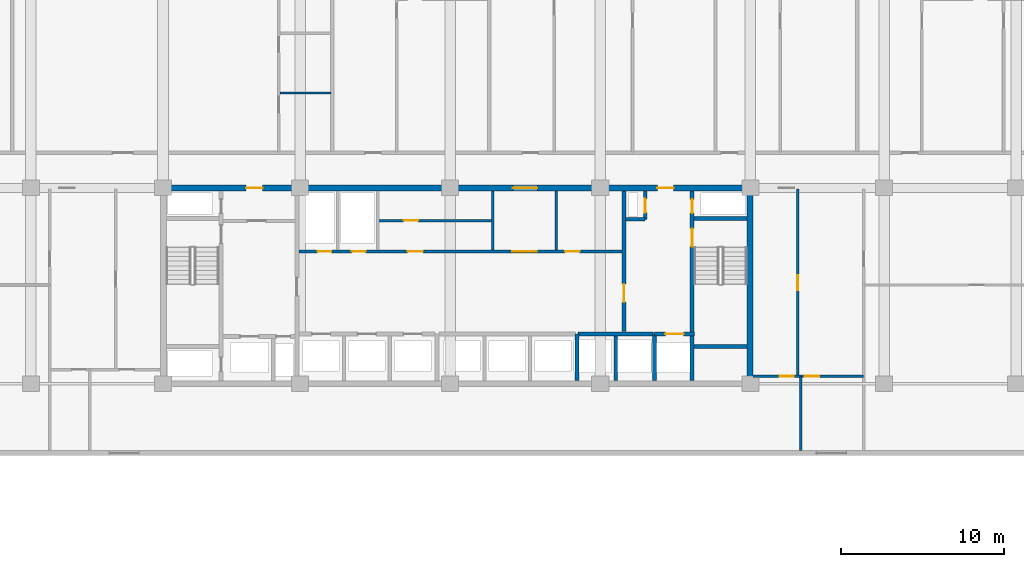
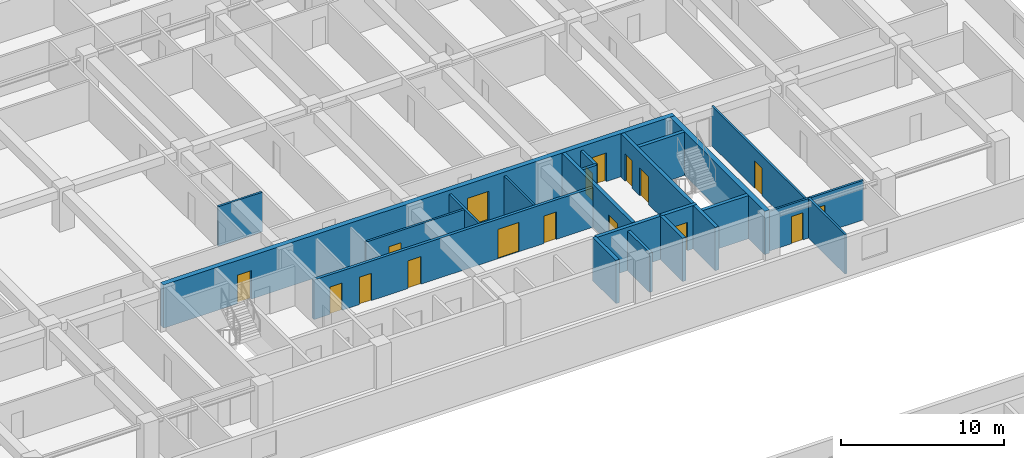
# One storey, part 13 of 24: 21 walls, 17 doors, 17 openings.
"""IFC4 building model written with IfcOpenShell, lengths in metres."""

from ifc_helpers import new_model, si_unit, direction, frame, frame_2d, origin, place, context, subcontext, project, spatial, rectangle, extrude, material, layer, layer_set, type_object, element, fill, save


model = new_model("IFC4")

# Units and contexts
model_context = context("Model", 3, precision=1e-05, world=origin(), true_north=direction((0.0, 1.0)))
body_context = subcontext(model_context, "Body", "Model", "MODEL_VIEW")
ifc_project = project(units=[si_unit("LENGTHUNIT", "METRE"), si_unit("AREAUNIT", "SQUARE_METRE"), si_unit("VOLUMEUNIT", "CUBIC_METRE"), si_unit("PLANEANGLEUNIT", "RADIAN"), si_unit("MASSUNIT", "GRAM", prefix="KILO")], contexts=[model_context])

# Site, building, storey
site_placement = place(None, origin())
site = spatial("IfcSite", under=ifc_project, at=site_placement, CompositionType="ELEMENT")
building_placement = place(site_placement, origin())
building = spatial("IfcBuilding", under=site, at=building_placement, Name="Korimba Cascade Residences", CompositionType="ELEMENT")
storey_placement = place(building_placement, frame((0.0, 0.0, 63.0)))
storey = spatial("IfcBuildingStorey", under=building, at=storey_placement, Name="L17", CompositionType="ELEMENT", Elevation=63.0)

# Wall
ifc_material_1 = material(Name="Concrete C65/80", Category="concrete")
ifc_layer_1 = layer(ifc_material_1, 0.35009765625)
ifc_layer_set_1 = layer_set([ifc_layer_1], Name="Concrete C65/80")
wall_type_1 = type_object("IfcWallType", Name="WAL-CORE-350", PredefinedType="SHEAR", material=ifc_layer_set_1)
wall_1_placement = place(storey_placement, frame((112.074951171875, 55.375, 0.0), z_axis=(0.0, 0.0, 1.0), x_axis=(0.0, 1.0, 0.0)))
element("IfcWall", 1, at=wall_1_placement, inside=storey, type_object=wall_type_1, Name="L17 Core Shear Wall CW-L17-T1-E", PredefinedType="SHEAR", context=body_context, shape_type="SweptSolid", body=[
    extrude(rectangle(XDim=11.64990234375, YDim=0.35009765625, at=frame_2d((5.824951171875, 0.0))), origin(), (0.0, 0.0, 1.0), 3.25),
])

# Wall, openings, doors
wall_2_placement = place(storey_placement, frame((75.949951171875, 67.199951171875, 0.0), z_axis=(0.0, 0.0, 1.0), x_axis=(1.0, 0.0, 0.0)))
wall_2 = element("IfcWall", 2, at=wall_2_placement, inside=storey, type_object=wall_type_1, Name="L17 Core Shear Wall CW-L17-T1-N", PredefinedType="SHEAR", context=body_context, shape_type="SweptSolid", body=[
    extrude(rectangle(XDim=36.300048828125, YDim=0.35009765625, at=frame_2d((18.14990234375, 0.0))), origin(), (0.0, 0.0, 1.0), 3.25),
])
opening_1_placement = place(wall_2_placement, frame((5.25, 0.0, 0.0)))
opening_1 = element("IfcOpeningElement", 3, at=opening_1_placement, cuts=wall_2, Name="Opening D-FD5", PredefinedType="OPENING", context=body_context, shape_type="SweptSolid", body=[
    extrude(rectangle(XDim=1.0, YDim=2.14990234375, at=frame_2d((0.5, 1.074951171875))), frame((0.0, 0.18505859375, 0.0), z_axis=(0.0, -1.0, 0.0), x_axis=(1.0, 0.0, 0.0)), (0.0, 0.0, 1.0), 0.3701171875),
])
opening_2_placement = place(wall_2_placement, frame((21.60009765625, 0.0, 0.0)))
opening_2 = element("IfcOpeningElement", 4, at=opening_2_placement, cuts=wall_2, Name="Opening D-FD8", PredefinedType="OPENING", context=body_context, shape_type="SweptSolid", body=[
    extrude(rectangle(XDim=1.5, YDim=2.199951171875, at=frame_2d((0.75, 1.10009765625))), frame((0.0, 0.18505859375, 0.0), z_axis=(0.0, -1.0, 0.0), x_axis=(1.0, 0.0, 0.0)), (0.0, 0.0, 1.0), 0.3701171875),
])
opening_3_placement = place(wall_2_placement, frame((30.449951171875, 0.0, 0.0)))
opening_3 = element("IfcOpeningElement", 5, at=opening_3_placement, cuts=wall_2, Name="Opening D-FD5", PredefinedType="OPENING", context=body_context, shape_type="SweptSolid", body=[
    extrude(rectangle(XDim=1.0, YDim=2.14990234375, at=frame_2d((0.5, 1.074951171875))), frame((0.0, 0.18505859375, 0.0), z_axis=(0.0, -1.0, 0.0), x_axis=(1.0, 0.0, 0.0)), (0.0, 0.0, 1.0), 0.3701171875),
])
ifc_material_2 = material(Name="Fire-Rated Acoustic Timber Vestibule Door", Category="wood")
door_type_1 = type_object("IfcDoorType", Name="DR-FD90-1000", OperationType="NOTDEFINED", PredefinedType="DOOR", material=ifc_material_2)
door_1_placement = place(opening_1_placement, origin())
door_1 = element("IfcDoor", 6, at=door_1_placement, inside=storey, type_object=door_type_1, Name="L17 T1 West Core Vestibule Fire Door", OperationType="SINGLE_SWING_RIGHT", OverallHeight=2.14990234375, OverallWidth=1.0, PredefinedType="DOOR", context=body_context, shape_type="SweptSolid", body=[
    extrude(rectangle(XDim=1.0, YDim=2.14990234375, at=frame_2d((0.5, 1.074951171875))), frame((0.0, 0.02490234375, 0.0), z_axis=(0.0, -1.0, 0.0), x_axis=(1.0, 0.0, 0.0)), (0.0, 0.0, 1.0), 0.050048828125),
])
fill(opening_1, door_1)
door_2_placement = place(opening_3_placement, origin())
door_2 = element("IfcDoor", 7, at=door_2_placement, inside=storey, type_object=door_type_1, Name="L17 T1 East Firefighting Vestibule Fire Door", OperationType="SINGLE_SWING_LEFT", OverallHeight=2.14990234375, OverallWidth=1.0, PredefinedType="DOOR", context=body_context, shape_type="SweptSolid", body=[
    extrude(rectangle(XDim=1.0, YDim=2.14990234375, at=frame_2d((0.5, 1.074951171875))), frame((0.0, 0.02490234375, 0.0), z_axis=(0.0, -1.0, 0.0), x_axis=(1.0, 0.0, 0.0)), (0.0, 0.0, 1.0), 0.050048828125),
])
fill(opening_3, door_2)
ifc_material_3 = material(Name="Fire-Rated Glazed Lift Lobby Double Door", Category="glass")
door_type_2 = type_object("IfcDoorType", Name="DR-FD90-1500", OperationType="NOTDEFINED", PredefinedType="DOOR", material=ifc_material_3)
door_3_placement = place(opening_2_placement, origin())
door_3 = element("IfcDoor", 8, at=door_3_placement, inside=storey, type_object=door_type_2, Name="L17 T1 Lift Lobby Fire Door", OperationType="DOUBLE_DOOR_SINGLE_SWING", OverallHeight=2.199951171875, OverallWidth=1.5, PredefinedType="DOOR", context=body_context, shape_type="SweptSolid", body=[
    extrude(rectangle(XDim=1.5, YDim=2.199951171875, at=frame_2d((0.75, 1.10009765625))), frame((0.0, 0.02490234375, 0.0), z_axis=(0.0, -1.0, 0.0), x_axis=(1.0, 0.0, 0.0)), (0.0, 0.0, 1.0), 0.050048828125),
])
fill(opening_2, door_3)

# Wall, opening, door
ifc_material_4 = material(Name="Insulated Acoustic Stud Partition", Category="gypsum")
ifc_layer_2 = layer(ifc_material_4, 0.14990234375)
ifc_layer_set_2 = layer_set([ifc_layer_2], Name="Insulated Acoustic Stud Partition")
wall_type_2 = type_object("IfcWallType", Name="WAL-PART-150", PredefinedType="PARTITIONING", material=ifc_layer_set_2)
wall_3_placement = place(storey_placement, frame((89.25, 65.199951171875, 0.0), z_axis=(0.0, 0.0, 1.0), x_axis=(1.0, 0.0, 0.0)))
wall_3 = element("IfcWall", 9, at=wall_3_placement, inside=storey, type_object=wall_type_2, Name="L17 Partition Wall CW-L17-T1-CA2HZ", PredefinedType="PARTITIONING", context=body_context, shape_type="SweptSolid", body=[
    extrude(rectangle(XDim=7.050048828125, YDim=0.14990234375, at=frame_2d((3.52490234375, 0.0))), origin(), (0.0, 0.0, 1.0), 2.969970703125),
])
opening_4_placement = place(wall_3_placement, frame((1.60009765625, 0.0, 0.0)))
opening_4 = element("IfcOpeningElement", 10, at=opening_4_placement, cuts=wall_3, Name="Opening D-IN2", PredefinedType="OPENING", context=body_context, shape_type="SweptSolid", body=[
    extrude(rectangle(XDim=0.8798828125, YDim=2.06005859375, at=frame_2d((0.43994140625, 1.030029296875))), frame((0.0, 0.0849609375, 0.0), z_axis=(0.0, -1.0, 0.0), x_axis=(1.0, 0.0, 0.0)), (0.0, 0.0, 1.0), 0.169921875),
])
ifc_material_5 = material(Name="Acoustic Timber Bedroom Door", Category="wood")
door_type_3 = type_object("IfcDoorType", Name="DR-INT-880", OperationType="NOTDEFINED", PredefinedType="DOOR", material=ifc_material_5)
door_4_placement = place(opening_4_placement, origin())
door_4 = element("IfcDoor", 11, at=door_4_placement, inside=storey, type_object=door_type_3, Name="L17 Pram Store Door", OperationType="SINGLE_SWING_RIGHT", OverallHeight=2.06005859375, OverallWidth=0.8798828125, PredefinedType="DOOR", context=body_context, shape_type="SweptSolid", body=[
    extrude(rectangle(XDim=0.8798828125, YDim=2.06005859375, at=frame_2d((0.43994140625, 1.030029296875))), frame((0.0, 0.02490234375, 0.0), z_axis=(0.0, -1.0, 0.0), x_axis=(1.0, 0.0, 0.0)), (0.0, 0.0, 1.0), 0.050048828125),
])
fill(opening_4, door_4)

# Walls
for number, where, z_axis, x_axis, name in (
    (12, (96.300048828125, 63.39990234375, 0.0), (0.0, 0.0, 1.0), (0.0, 1.0, 0.0), "L17 Partition Wall CW-L17-T1-THW"),
    (13, (100.199951171875, 63.39990234375, 0.0), (0.0, 0.0, 1.0), (0.0, 1.0, 0.0), "L17 Partition Wall CW-L17-T1-THE"),
):
    element("IfcWall", number, at=place(storey_placement, frame(where, z_axis=z_axis, x_axis=x_axis)), inside=storey, type_object=wall_type_2, Name=name, PredefinedType="PARTITIONING", context=body_context, shape_type="SweptSolid", body=[
        extrude(rectangle(XDim=3.60009765625, YDim=0.14990234375, at=frame_2d((1.800048828125, 0.0))), origin(), (0.0, 0.0, 1.0), 2.969970703125),
    ])

# Wall, opening, door
wall_4_placement = place(storey_placement, frame((115.0, 55.64990234375, 0.0), z_axis=(0.0, 0.0, 1.0), x_axis=(0.0, 1.0, 0.0)))
wall_4 = element("IfcWall", 14, at=wall_4_placement, inside=storey, type_object=wall_type_2, Name="L17 Partition Wall WAL-L17-T1-FE-VN", PredefinedType="PARTITIONING", context=body_context, shape_type="SweptSolid", body=[
    extrude(rectangle(XDim=11.5, YDim=0.14990234375, at=frame_2d((5.75, 0.0))), origin(), (0.0, 0.0, 1.0), 2.969970703125),
])
opening_5_placement = place(wall_4_placement, frame((5.2900390625, 0.0, 0.0)))
opening_5 = element("IfcOpeningElement", 15, at=opening_5_placement, cuts=wall_4, Name="Opening D-IN1", PredefinedType="OPENING", context=body_context, shape_type="SweptSolid", body=[
    extrude(rectangle(XDim=0.919921875, YDim=2.080078125, at=frame_2d((0.4599609375, 1.0400390625))), frame((0.0, 0.0849609375, 0.0), z_axis=(0.0, -1.0, 0.0), x_axis=(1.0, 0.0, 0.0)), (0.0, 0.0, 1.0), 0.169921875),
])
ifc_material_6 = material(Name="Acoustic Timber Living Door", Category="wood")
door_type_4 = type_object("IfcDoorType", Name="DR-INT-920", OperationType="NOTDEFINED", PredefinedType="DOOR", material=ifc_material_6)
door_5_placement = place(opening_5_placement, origin())
door_5 = element("IfcDoor", 16, at=door_5_placement, inside=storey, type_object=door_type_4, Name="L17-T1-FE Living Door", OperationType="SINGLE_SWING_LEFT", OverallHeight=2.080078125, OverallWidth=0.919921875, PredefinedType="DOOR", context=body_context, shape_type="SweptSolid", body=[
    extrude(rectangle(XDim=0.919921875, YDim=2.080078125, at=frame_2d((0.4599609375, 1.0400390625))), frame((0.0, 0.02490234375, 0.0), z_axis=(0.0, -1.0, 0.0), x_axis=(1.0, 0.0, 0.0)), (0.0, 0.0, 1.0), 0.050048828125),
])
fill(opening_5, door_5)

# Wall
wall_5_placement = place(storey_placement, frame((115.199951171875, 51.10009765625, 0.0), z_axis=(0.0, 0.0, 1.0), x_axis=(0.0, 1.0, 0.0)))
element("IfcWall", 17, at=wall_5_placement, inside=storey, type_object=wall_type_2, Name="L17 Partition Wall WAL-L17-T1-FE-VS", PredefinedType="PARTITIONING", context=body_context, shape_type="SweptSolid", body=[
    extrude(rectangle(XDim=4.5498046875, YDim=0.14990234375, at=frame_2d((2.27490234375, 0.0))), origin(), (0.0, 0.0, 1.0), 2.969970703125),
])

# Wall, openings, doors
wall_6_placement = place(storey_placement, frame((112.27001953125, 55.64990234375, 0.0), z_axis=(0.0, 0.0, 1.0), x_axis=(1.0, 0.0, 0.0)))
wall_6 = element("IfcWall", 18, at=wall_6_placement, inside=storey, type_object=wall_type_2, Name="L17 Partition Wall WAL-L17-T1-FE-H", PredefinedType="PARTITIONING", context=body_context, shape_type="SweptSolid", body=[
    extrude(rectangle(XDim=6.760009765625, YDim=0.14990234375, at=frame_2d((3.3798828125, 0.0))), origin(), (0.0, 0.0, 1.0), 2.969970703125),
])
opening_6_placement = place(wall_6_placement, frame((1.6396484375, 0.0, 0.0)))
opening_6 = element("IfcOpeningElement", 19, at=opening_6_placement, cuts=wall_6, Name="Opening D-BT1", PredefinedType="OPENING", context=body_context, shape_type="SweptSolid", body=[
    extrude(rectangle(XDim=0.840087890625, YDim=2.0400390625, at=frame_2d((0.419921875, 1.02001953125))), frame((0.0, 0.0849609375, 0.0), z_axis=(0.0, -1.0, 0.0), x_axis=(1.0, 0.0, 0.0)), (0.0, 0.0, 1.0), 0.169921875),
])
opening_7_placement = place(wall_6_placement, frame((3.160400390625, 0.0, 0.0)))
opening_7 = element("IfcOpeningElement", 20, at=opening_7_placement, cuts=wall_6, Name="Opening D-IN2", PredefinedType="OPENING", context=body_context, shape_type="SweptSolid", body=[
    extrude(rectangle(XDim=0.8798828125, YDim=2.06005859375, at=frame_2d((0.43994140625, 1.030029296875))), frame((0.0, 0.0849609375, 0.0), z_axis=(0.0, -1.0, 0.0), x_axis=(1.0, 0.0, 0.0)), (0.0, 0.0, 1.0), 0.169921875),
])
ifc_material_7 = material(Name="Moisture-Resistant Bathroom Timber Door", Category="wood")
door_type_5 = type_object("IfcDoorType", Name="DR-INT-850", OperationType="NOTDEFINED", PredefinedType="DOOR", material=ifc_material_7)
door_6_placement = place(opening_6_placement, origin())
door_6 = element("IfcDoor", 21, at=door_6_placement, inside=storey, type_object=door_type_5, Name="L17-T1-FE Bathroom Door", OperationType="SINGLE_SWING_RIGHT", OverallHeight=2.0400390625, OverallWidth=0.840087890625, PredefinedType="DOOR", context=body_context, shape_type="SweptSolid", body=[
    extrude(rectangle(XDim=0.840087890625, YDim=2.0400390625, at=frame_2d((0.419921875, 1.02001953125))), frame((0.0, 0.02490234375, 0.0), z_axis=(0.0, -1.0, 0.0), x_axis=(1.0, 0.0, 0.0)), (0.0, 0.0, 1.0), 0.050048828125),
])
fill(opening_6, door_6)
door_7_placement = place(opening_7_placement, origin())
door_7 = element("IfcDoor", 22, at=door_7_placement, inside=storey, type_object=door_type_3, Name="L17-T1-FE Bedroom Door", OperationType="SINGLE_SWING_LEFT", OverallHeight=2.06005859375, OverallWidth=0.8798828125, PredefinedType="DOOR", context=body_context, shape_type="SweptSolid", body=[
    extrude(rectangle(XDim=0.8798828125, YDim=2.06005859375, at=frame_2d((0.43994140625, 1.030029296875))), frame((0.0, 0.02490234375, 0.0), z_axis=(0.0, -1.0, 0.0), x_axis=(1.0, 0.0, 0.0)), (0.0, 0.0, 1.0), 0.050048828125),
])
fill(opening_7, door_7)

# Walls
wall_7_placement = place(storey_placement, frame((83.2548828125, 73.02001953125, 0.0), z_axis=(0.0, 0.0, 1.0), x_axis=(1.0, 0.0, 0.0)))
element("IfcWall", 23, at=wall_7_placement, inside=storey, type_object=wall_type_2, Name="L17 Partition Wall WAL-L17-T1-U02-WCH", PredefinedType="PARTITIONING", context=body_context, shape_type="SweptSolid", body=[
    extrude(rectangle(XDim=3.1298828125, YDim=0.14990234375, at=frame_2d((1.56494140625, 0.0))), origin(), (0.0, 0.0, 1.0), 2.969970703125),
])
ifc_material_8 = material(Name="Concrete C40/50", Category="concrete")
ifc_layer_3 = layer(ifc_material_8, 0.199951171875)
ifc_layer_set_3 = layer_set([ifc_layer_3], Name="Concrete C40/50")
wall_type_3 = type_object("IfcWallType", Name="WAL-PART-200", PredefinedType="PARTITIONING", material=ifc_layer_set_3)
wall_8_placement = place(storey_placement, frame((103.85009765625, 55.39990234375, 0.0), z_axis=(0.0, 0.0, 1.0), x_axis=(0.0, 1.0, 0.0)))
element("IfcWall", 24, at=wall_8_placement, inside=storey, type_object=wall_type_3, Name="L17 Partition Wall CW-L17-T1-B3D1", PredefinedType="PARTITIONING", context=body_context, shape_type="SweptSolid", body=[
    extrude(rectangle(XDim=2.72021484375, YDim=0.199951171875, at=frame_2d((1.360107421875, 0.0))), origin(), (0.0, 0.0, 1.0), 2.969970703125),
])

# Wall, openings, doors
wall_9_placement = place(storey_placement, frame((84.419921875, 63.300048828125, 0.0), z_axis=(0.0, 0.0, 1.0), x_axis=(1.0, 0.0, 0.0)))
wall_9 = element("IfcWall", 25, at=wall_9_placement, inside=storey, type_object=wall_type_3, Name="L17 Partition Wall CW-L17-T1-SRVROW", PredefinedType="PARTITIONING", context=body_context, shape_type="SweptSolid", body=[
    extrude(rectangle(XDim=19.830078125, YDim=0.199951171875, at=frame_2d((9.9150390625, 0.0))), origin(), (0.0, 0.0, 1.0), 2.969970703125),
])
opening_8_placement = place(wall_9_placement, frame((1.14990234375, 0.0, 0.0)))
opening_8 = element("IfcOpeningElement", 26, at=opening_8_placement, cuts=wall_9, Name="Opening D-RS1", PredefinedType="OPENING", context=body_context, shape_type="SweptSolid", body=[
    extrude(rectangle(XDim=0.85009765625, YDim=2.050048828125, at=frame_2d((0.425048828125, 1.02490234375))), frame((0.0, 0.10986328125, 0.0), z_axis=(0.0, -1.0, 0.0), x_axis=(1.0, 0.0, 0.0)), (0.0, 0.0, 1.0), 0.219970703125),
])
opening_9_placement = place(wall_9_placement, frame((3.25, 0.0, 0.0)))
opening_9 = element("IfcOpeningElement", 27, at=opening_9_placement, cuts=wall_9, Name="Opening D-RS1", PredefinedType="OPENING", context=body_context, shape_type="SweptSolid", body=[
    extrude(rectangle(XDim=0.85009765625, YDim=2.050048828125, at=frame_2d((0.425048828125, 1.02490234375))), frame((0.0, 0.10986328125, 0.0), z_axis=(0.0, -1.0, 0.0), x_axis=(1.0, 0.0, 0.0)), (0.0, 0.0, 1.0), 0.219970703125),
])
opening_10_placement = place(wall_9_placement, frame((13.080078125, 0.0, 0.0)))
opening_10 = element("IfcOpeningElement", 28, at=opening_10_placement, cuts=wall_9, Name="Opening D-FD8", PredefinedType="OPENING", context=body_context, shape_type="SweptSolid", body=[
    extrude(rectangle(XDim=1.5, YDim=2.199951171875, at=frame_2d((0.75, 1.10009765625))), frame((0.0, 0.10986328125, 0.0), z_axis=(0.0, -1.0, 0.0), x_axis=(1.0, 0.0, 0.0)), (0.0, 0.0, 1.0), 0.219970703125),
])
opening_11_placement = place(wall_9_placement, frame((6.679931640625, 0.0, 0.0)))
opening_11 = element("IfcOpeningElement", 29, at=opening_11_placement, cuts=wall_9, Name="Opening D-IN1", PredefinedType="OPENING", context=body_context, shape_type="SweptSolid", body=[
    extrude(rectangle(XDim=0.919921875, YDim=2.080078125, at=frame_2d((0.4599609375, 1.0400390625))), frame((0.0, 0.10986328125, 0.0), z_axis=(0.0, -1.0, 0.0), x_axis=(1.0, 0.0, 0.0)), (0.0, 0.0, 1.0), 0.219970703125),
])
opening_12_placement = place(wall_9_placement, frame((16.330078125, 0.0, 0.0)))
opening_12 = element("IfcOpeningElement", 30, at=opening_12_placement, cuts=wall_9, Name="Opening D-IN2", PredefinedType="OPENING", context=body_context, shape_type="SweptSolid", body=[
    extrude(rectangle(XDim=0.8798828125, YDim=2.06005859375, at=frame_2d((0.43994140625, 1.030029296875))), frame((0.0, 0.10986328125, 0.0), z_axis=(0.0, -1.0, 0.0), x_axis=(1.0, 0.0, 0.0)), (0.0, 0.0, 1.0), 0.219970703125),
])
ifc_material_9 = material(Name="Fire-Rated Steel Riser Access Door", Category="steel")
door_type_6 = type_object("IfcDoorType", Name="DR-FD60-850", OperationType="NOTDEFINED", PredefinedType="DOOR", material=ifc_material_9)
door_8_placement = place(opening_8_placement, origin())
door_8 = element("IfcDoor", 31, at=door_8_placement, inside=storey, type_object=door_type_6, Name="L17 Electrical Riser Door", OperationType="SINGLE_SWING_LEFT", OverallHeight=2.050048828125, OverallWidth=0.85009765625, PredefinedType="DOOR", context=body_context, shape_type="SweptSolid", body=[
    extrude(rectangle(XDim=0.85009765625, YDim=2.050048828125, at=frame_2d((0.425048828125, 1.02490234375))), frame((0.0, 0.02490234375, 0.0), z_axis=(0.0, -1.0, 0.0), x_axis=(1.0, 0.0, 0.0)), (0.0, 0.0, 1.0), 0.050048828125),
])
fill(opening_8, door_8)
door_9_placement = place(opening_9_placement, origin())
door_9 = element("IfcDoor", 32, at=door_9_placement, inside=storey, type_object=door_type_6, Name="L17 Plumbing Riser Door", OperationType="SINGLE_SWING_RIGHT", OverallHeight=2.050048828125, OverallWidth=0.85009765625, PredefinedType="DOOR", context=body_context, shape_type="SweptSolid", body=[
    extrude(rectangle(XDim=0.85009765625, YDim=2.050048828125, at=frame_2d((0.425048828125, 1.02490234375))), frame((0.0, 0.02490234375, 0.0), z_axis=(0.0, -1.0, 0.0), x_axis=(1.0, 0.0, 0.0)), (0.0, 0.0, 1.0), 0.050048828125),
])
fill(opening_9, door_9)
door_10_placement = place(opening_10_placement, origin())
door_10 = element("IfcDoor", 33, at=door_10_placement, inside=storey, type_object=door_type_2, Name="L17 Lift Lobby Foyer Archway Door", OperationType="DOUBLE_DOOR_SINGLE_SWING", OverallHeight=2.199951171875, OverallWidth=1.5, PredefinedType="DOOR", context=body_context, shape_type="SweptSolid", body=[
    extrude(rectangle(XDim=1.5, YDim=2.199951171875, at=frame_2d((0.75, 1.10009765625))), frame((0.0, 0.02490234375, 0.0), z_axis=(0.0, -1.0, 0.0), x_axis=(1.0, 0.0, 0.0)), (0.0, 0.0, 1.0), 0.050048828125),
])
fill(opening_10, door_10)
door_11_placement = place(opening_12_placement, origin())
door_11 = element("IfcDoor", 34, at=door_11_placement, inside=storey, type_object=door_type_3, Name="L17 Staff WC Door", OperationType="SINGLE_SWING_RIGHT", OverallHeight=2.06005859375, OverallWidth=0.8798828125, PredefinedType="DOOR", context=body_context, shape_type="SweptSolid", body=[
    extrude(rectangle(XDim=0.8798828125, YDim=2.06005859375, at=frame_2d((0.43994140625, 1.030029296875))), frame((0.0, 0.02490234375, 0.0), z_axis=(0.0, -1.0, 0.0), x_axis=(1.0, 0.0, 0.0)), (0.0, 0.0, 1.0), 0.050048828125),
])
fill(opening_12, door_11)
door_12_placement = place(opening_11_placement, origin())
door_12 = element("IfcDoor", 35, at=door_12_placement, inside=storey, type_object=door_type_4, Name="L17 Locker Room Door", OperationType="SINGLE_SWING_LEFT", OverallHeight=2.080078125, OverallWidth=0.919921875, PredefinedType="DOOR", context=body_context, shape_type="SweptSolid", body=[
    extrude(rectangle(XDim=0.919921875, YDim=2.080078125, at=frame_2d((0.4599609375, 1.0400390625))), frame((0.0, 0.02490234375, 0.0), z_axis=(0.0, -1.0, 0.0), x_axis=(1.0, 0.0, 0.0)), (0.0, 0.0, 1.0), 0.050048828125),
])
fill(opening_11, door_12)

# Wall
wall_10_placement = place(storey_placement, frame((104.449951171875, 65.280029296875, 0.0), z_axis=(0.0, 0.0, 1.0), x_axis=(1.0, 0.0, 0.0)))
element("IfcWall", 36, at=wall_10_placement, inside=storey, type_object=wall_type_3, Name="L17 Partition Wall CW-L17-T1-HYDW2S", PredefinedType="PARTITIONING", context=body_context, shape_type="SweptSolid", body=[
    extrude(rectangle(XDim=1.199951171875, YDim=0.199951171875, at=frame_2d((0.60009765625, 0.0))), origin(), (0.0, 0.0, 1.0), 2.969970703125),
])

# Wall, opening, door
wall_11_placement = place(storey_placement, frame((105.64990234375, 65.280029296875, 0.0), z_axis=(0.0, 0.0, 1.0), x_axis=(0.0, 1.0, 0.0)))
wall_11 = element("IfcWall", 37, at=wall_11_placement, inside=storey, type_object=wall_type_3, Name="L17 Partition Wall CW-L17-T1-HYDW2E", PredefinedType="PARTITIONING", context=body_context, shape_type="SweptSolid", body=[
    extrude(rectangle(XDim=1.719970703125, YDim=0.199951171875, at=frame_2d((0.85986328125, 0.0))), origin(), (0.0, 0.0, 1.0), 2.969970703125),
])
opening_13_placement = place(wall_11_placement, frame((0.39990234375, 0.0, 0.0)))
opening_13 = element("IfcOpeningElement", 38, at=opening_13_placement, cuts=wall_11, Name="Opening D-RS1", PredefinedType="OPENING", context=body_context, shape_type="SweptSolid", body=[
    extrude(rectangle(XDim=0.85009765625, YDim=2.050048828125, at=frame_2d((0.425048828125, 1.02490234375))), frame((0.0, 0.10986328125, 0.0), z_axis=(0.0, -1.0, 0.0), x_axis=(1.0, 0.0, 0.0)), (0.0, 0.0, 1.0), 0.219970703125),
])
door_13_placement = place(opening_13_placement, origin())
door_13 = element("IfcDoor", 39, at=door_13_placement, inside=storey, type_object=door_type_6, Name="L17 East Hydrant Door", OperationType="SINGLE_SWING_LEFT", OverallHeight=2.050048828125, OverallWidth=0.85009765625, PredefinedType="DOOR", context=body_context, shape_type="SweptSolid", body=[
    extrude(rectangle(XDim=0.85009765625, YDim=2.050048828125, at=frame_2d((0.425048828125, 1.02490234375))), frame((0.0, 0.02490234375, 0.0), z_axis=(0.0, -1.0, 0.0), x_axis=(1.0, 0.0, 0.0)), (0.0, 0.0, 1.0), 0.050048828125),
])
fill(opening_13, door_13)

# Walls
ifc_material_10 = material(Name="Concrete C50/60", Category="concrete")
ifc_layer_4 = layer(ifc_material_10, 0.25)
ifc_layer_set_4 = layer_set([ifc_layer_4], Name="Concrete C50/60")
wall_type_4 = type_object("IfcWallType", Name="WAL-SHAFT-250", PredefinedType="SHEAR", material=ifc_layer_set_4)
wall_12_placement = place(storey_placement, frame((101.47998046875, 55.39990234375, 0.0), z_axis=(0.0, 0.0, 1.0), x_axis=(0.0, 1.0, 0.0)))
element("IfcWall", 40, at=wall_12_placement, inside=storey, type_object=wall_type_4, Name="L17 Core Shear Wall CW-L17-T1-B23DIV", PredefinedType="SHEAR", context=body_context, shape_type="SweptSolid", body=[
    extrude(rectangle(XDim=2.85009765625, YDim=0.25, at=frame_2d((1.425048828125, 0.0))), origin(), (0.0, 0.0, 1.0), 3.25),
])
wall_13_placement = place(storey_placement, frame((101.550048828125, 58.25, 0.0), z_axis=(0.0, 0.0, 1.0), x_axis=(1.0, 0.0, 0.0)))
element("IfcWall", 41, at=wall_13_placement, inside=storey, type_object=wall_type_4, Name="L17 Core Shear Wall CW-L17-T1-B3N", PredefinedType="SHEAR", context=body_context, shape_type="SweptSolid", body=[
    extrude(rectangle(XDim=4.599853515625, YDim=0.25, at=frame_2d((2.2998046875, 0.0))), origin(), (0.0, 0.0, 1.0), 3.25),
])
wall_14_placement = place(storey_placement, frame((106.219970703125, 55.39990234375, 0.0), z_axis=(0.0, 0.0, 1.0), x_axis=(0.0, 1.0, 0.0)))
element("IfcWall", 42, at=wall_14_placement, inside=storey, type_object=wall_type_4, Name="L17 Core Shear Wall CW-L17-T1-FF2W", PredefinedType="SHEAR", context=body_context, shape_type="SweptSolid", body=[
    extrude(rectangle(XDim=2.85009765625, YDim=0.25, at=frame_2d((1.425048828125, 0.0))), origin(), (0.0, 0.0, 1.0), 3.25),
])

# Wall, opening, door
wall_15_placement = place(storey_placement, frame((106.219970703125, 58.25, 0.0), z_axis=(0.0, 0.0, 1.0), x_axis=(1.0, 0.0, 0.0)))
wall_15 = element("IfcWall", 43, at=wall_15_placement, inside=storey, type_object=wall_type_4, Name="L17 Core Shear Wall CW-L17-T1-FF2N", PredefinedType="SHEAR", context=body_context, shape_type="SweptSolid", body=[
    extrude(rectangle(XDim=2.4599609375, YDim=0.25, at=frame_2d((1.22998046875, 0.0))), origin(), (0.0, 0.0, 1.0), 3.25),
])
opening_14_placement = place(wall_15_placement, frame((0.669921875, 0.0, 0.0)))
opening_14 = element("IfcOpeningElement", 44, at=opening_14_placement, cuts=wall_15, Name="Opening LD-01", PredefinedType="OPENING", context=body_context, shape_type="SweptSolid", body=[
    extrude(rectangle(XDim=1.1201171875, YDim=2.1201171875, at=frame_2d((0.56005859375, 1.06005859375))), frame((0.0, 0.135009765625, 0.0), z_axis=(0.0, -1.0, 0.0), x_axis=(1.0, 0.0, 0.0)), (0.0, 0.0, 1.0), 0.27001953125),
])
ifc_material_11 = material(Name="Stainless Steel Lift Landing Sliding Door", Category="steel")
door_type_7 = type_object("IfcDoorType", Name="DR-LIFT-1100", OperationType="NOTDEFINED", PredefinedType="DOOR", material=ifc_material_11)
door_14_placement = place(opening_14_placement, origin())
door_14 = element("IfcDoor", 45, at=door_14_placement, inside=storey, type_object=door_type_7, Name="L17 Firefighting Lift Landing Door FFL-W2", OperationType="SLIDING_TO_RIGHT", OverallHeight=2.1201171875, OverallWidth=1.1201171875, PredefinedType="DOOR", context=body_context, shape_type="SweptSolid", body=[
    extrude(rectangle(XDim=1.1201171875, YDim=2.1201171875, at=frame_2d((0.56005859375, 1.06005859375))), frame((0.0, 0.02490234375, 0.0), z_axis=(0.0, -1.0, 0.0), x_axis=(1.0, 0.0, 0.0)), (0.0, 0.0, 1.0), 0.050048828125),
])
fill(opening_14, door_14)

wall_16_placement = place(storey_placement, frame((104.35009765625, 58.39990234375, 0.0), z_axis=(0.0, 0.0, 1.0), x_axis=(0.0, 1.0, 0.0)))
wall_16 = element("IfcWall", 46, at=wall_16_placement, inside=storey, type_object=wall_type_4, Name="L17 Core Shear Wall CW-L17-T1-LLEV", PredefinedType="SHEAR", context=body_context, shape_type="SweptSolid", body=[
    extrude(rectangle(XDim=8.60009765625, YDim=0.25, at=frame_2d((4.300048828125, 0.0))), origin(), (0.0, 0.0, 1.0), 3.25),
])
opening_15_placement = place(wall_16_placement, frame((1.800048828125, 0.0, 0.0)))
opening_15 = element("IfcOpeningElement", 47, at=opening_15_placement, cuts=wall_16, Name="Opening D-FD1", PredefinedType="OPENING", context=body_context, shape_type="SweptSolid", body=[
    extrude(rectangle(XDim=1.10009765625, YDim=2.10009765625, at=frame_2d((0.550048828125, 1.050048828125))), frame((0.0, 0.135009765625, 0.0), z_axis=(0.0, -1.0, 0.0), x_axis=(1.0, 0.0, 0.0)), (0.0, 0.0, 1.0), 0.27001953125),
])
ifc_material_12 = material(Name="Fire-Rated Steel Core Door", Category="steel")
door_type_8 = type_object("IfcDoorType", Name="DR-FD120-1100", OperationType="NOTDEFINED", PredefinedType="DOOR", material=ifc_material_12)
door_15_placement = place(opening_15_placement, origin())
door_15 = element("IfcDoor", 48, at=door_15_placement, inside=storey, type_object=door_type_8, Name="L17 Lift Lobby to East Firefighting Lobby Door", OperationType="SINGLE_SWING_RIGHT", OverallHeight=2.10009765625, OverallWidth=1.10009765625, PredefinedType="DOOR", context=body_context, shape_type="SweptSolid", body=[
    extrude(rectangle(XDim=1.10009765625, YDim=2.10009765625, at=frame_2d((0.550048828125, 1.050048828125))), frame((0.0, 0.02490234375, 0.0), z_axis=(0.0, -1.0, 0.0), x_axis=(1.0, 0.0, 0.0)), (0.0, 0.0, 1.0), 0.050048828125),
])
fill(opening_15, door_15)

# Wall, openings, doors
wall_17_placement = place(storey_placement, frame((108.534912109375, 55.39990234375, 0.0), z_axis=(0.0, 0.0, 1.0), x_axis=(0.0, 1.0, 0.0)))
wall_17 = element("IfcWall", 49, at=wall_17_placement, inside=storey, type_object=wall_type_4, Name="L17 Core Shear Wall CW-L17-T1-STW2W", PredefinedType="SHEAR", context=body_context, shape_type="SweptSolid", body=[
    extrude(rectangle(XDim=11.60009765625, YDim=0.25, at=frame_2d((5.800048828125, 0.0))), origin(), (0.0, 0.0, 1.0), 3.25),
])
opening_16_placement = place(wall_17_placement, frame((8.199951171875, 0.0, 0.0)))
opening_16 = element("IfcOpeningElement", 50, at=opening_16_placement, cuts=wall_17, Name="Opening D-FD1", PredefinedType="OPENING", context=body_context, shape_type="SweptSolid", body=[
    extrude(rectangle(XDim=1.10009765625, YDim=2.10009765625, at=frame_2d((0.550048828125, 1.050048828125))), frame((0.0, 0.135009765625, 0.0), z_axis=(0.0, -1.0, 0.0), x_axis=(1.0, 0.0, 0.0)), (0.0, 0.0, 1.0), 0.27001953125),
])
opening_17_placement = place(wall_17_placement, frame((10.25, 0.0, 0.0)))
opening_17 = element("IfcOpeningElement", 51, at=opening_17_placement, cuts=wall_17, Name="Opening D-RS1", PredefinedType="OPENING", context=body_context, shape_type="SweptSolid", body=[
    extrude(rectangle(XDim=0.85009765625, YDim=2.050048828125, at=frame_2d((0.425048828125, 1.02490234375))), frame((0.0, 0.135009765625, 0.0), z_axis=(0.0, -1.0, 0.0), x_axis=(1.0, 0.0, 0.0)), (0.0, 0.0, 1.0), 0.27001953125),
])
door_16_placement = place(opening_16_placement, origin())
door_16 = element("IfcDoor", 52, at=door_16_placement, inside=storey, type_object=door_type_8, Name="L17 Fire Stair ST-W2 Door", OperationType="SINGLE_SWING_LEFT", OverallHeight=2.10009765625, OverallWidth=1.10009765625, PredefinedType="DOOR", context=body_context, shape_type="SweptSolid", body=[
    extrude(rectangle(XDim=1.10009765625, YDim=2.10009765625, at=frame_2d((0.550048828125, 1.050048828125))), frame((0.0, 0.02490234375, 0.0), z_axis=(0.0, -1.0, 0.0), x_axis=(1.0, 0.0, 0.0)), (0.0, 0.0, 1.0), 0.050048828125),
])
fill(opening_16, door_16)
door_17_placement = place(opening_17_placement, origin())
door_17 = element("IfcDoor", 53, at=door_17_placement, inside=storey, type_object=door_type_6, Name="L17 East Riser Door", OperationType="SINGLE_SWING_RIGHT", OverallHeight=2.050048828125, OverallWidth=0.85009765625, PredefinedType="DOOR", context=body_context, shape_type="SweptSolid", body=[
    extrude(rectangle(XDim=0.85009765625, YDim=2.050048828125, at=frame_2d((0.425048828125, 1.02490234375))), frame((0.0, 0.02490234375, 0.0), z_axis=(0.0, -1.0, 0.0), x_axis=(1.0, 0.0, 0.0)), (0.0, 0.0, 1.0), 0.050048828125),
])
fill(opening_17, door_17)

# Walls
for number, where, z_axis, x_axis, name in (
    (54, (108.659912109375, 57.47509765625, 0.0), (0.0, 0.0, 1.0), (1.0, 0.0, 0.0), "L17 Core Shear Wall CW-L17-T1-STW2S"),
    (55, (108.659912109375, 65.324951171875, 0.0), (0.0, 0.0, 1.0), (1.0, 0.0, 0.0), "L17 Core Shear Wall CW-L17-T1-STW2N"),
):
    element("IfcWall", number, at=place(storey_placement, frame(where, z_axis=z_axis, x_axis=x_axis)), inside=storey, type_object=wall_type_4, Name=name, PredefinedType="SHEAR", context=body_context, shape_type="SweptSolid", body=[
        extrude(rectangle(XDim=3.239990234375, YDim=0.25, at=frame_2d((1.6201171875, 0.0))), origin(), (0.0, 0.0, 1.0), 3.25),
    ])

save(model, "model.ifc")
